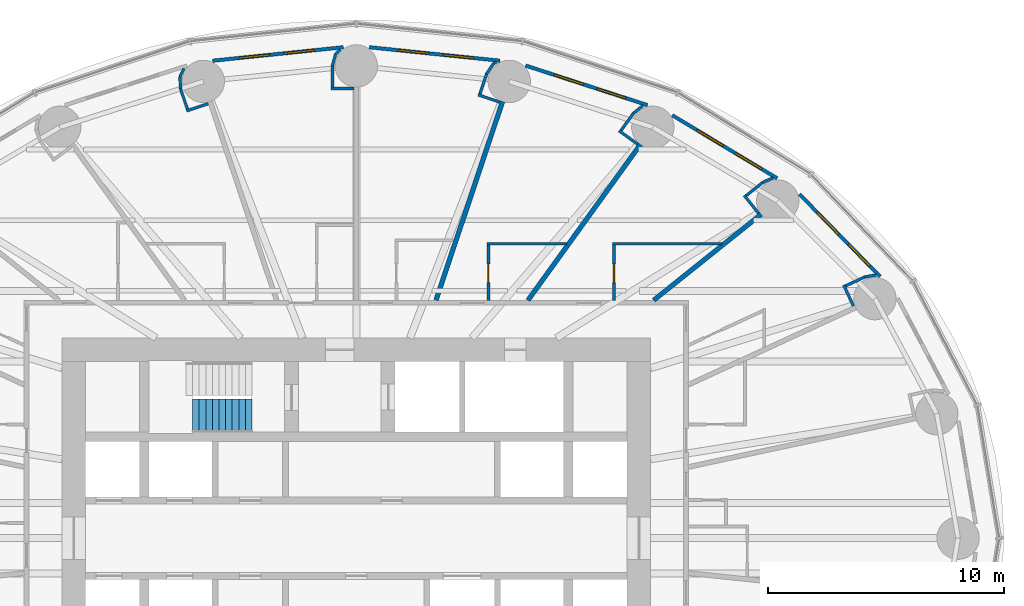
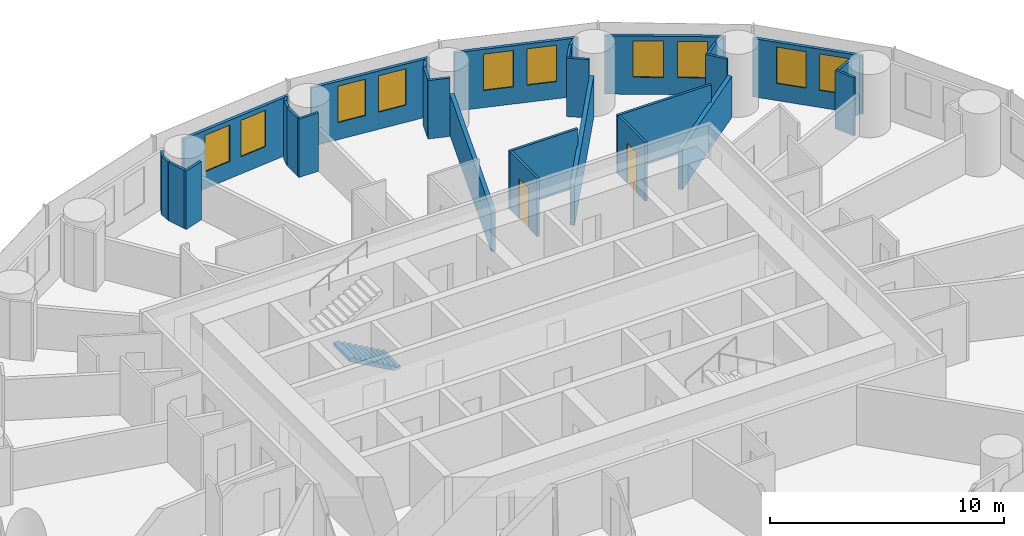
# One storey, part 11 of 13: 33 walls, 10 windows, 2 doors, 1 stair flight, 12 openings, 1 element without a shape of its own.
"""IFC4 building model written with IfcOpenShell, lengths in metres."""

from ifc_helpers import new_model, si_unit, direction, frame, frame_2d, origin, place, context, subcontext, project, spatial, polyline, rectangle, outline, extrude, material, layer, layer_set, type_object, element, fill, aggregate, save


model = new_model("IFC4")

# Units and contexts
model_context = context("Model", 3, precision=1e-05, world=origin(), true_north=direction((0.0, 1.0)))
body_context = subcontext(model_context, "Body", "Model", "MODEL_VIEW")
ifc_project = project(units=[si_unit("LENGTHUNIT", "METRE"), si_unit("AREAUNIT", "SQUARE_METRE"), si_unit("VOLUMEUNIT", "CUBIC_METRE"), si_unit("PLANEANGLEUNIT", "RADIAN"), si_unit("MASSUNIT", "GRAM", prefix="KILO")], contexts=[model_context])

# Site, building, storey
site_placement = place(None, origin())
site = spatial("IfcSite", under=ifc_project, at=site_placement, CompositionType="ELEMENT")
building_placement = place(site_placement, origin())
building = spatial("IfcBuilding", under=site, at=building_placement, Name="Hankou Lantern Tower", CompositionType="ELEMENT")
storey_placement = place(building_placement, frame((0.0, 0.0, 42.60009765625)))
storey = spatial("IfcBuildingStorey", under=building, at=storey_placement, Name="L09", CompositionType="ELEMENT", Elevation=42.60009765625)

# Wall, openings, windows
ifc_material_1 = material(Name="Aluminium spandrel panel on steel studs", Category="steel")
ifc_layer_1 = layer(ifc_material_1, 0.14990234375)
ifc_layer_set_1 = layer_set([ifc_layer_1], Name="Aluminium spandrel panel on steel studs")
wall_type_1 = type_object("IfcWallType", Name="EW1 INNER SKIN WALL 150", PredefinedType="ELEMENTEDWALL", material=ifc_layer_set_1)
wall_1_placement = place(storey_placement, frame((22.23876953125, 11.1083984375, 0.0), z_axis=(0.0, 0.0, 1.0), x_axis=(-0.699612594083, 0.714522370679, 0.0)))
wall_1 = element("IfcWall", 1, at=wall_1_placement, inside=storey, type_object=wall_type_1, Name="Inner skin R03-R04 L09", PredefinedType="ELEMENTEDWALL", context=body_context, shape_type="SweptSolid", body=[
    extrude(rectangle(XDim=4.89599609375, YDim=0.14990234375, at=frame_2d((2.447998046875, 0.0))), origin(), (0.0, 0.0, 1.0), 3.0498046875),
])
opening_1_placement = place(wall_1_placement, frame((0.619140625, 0.0, 0.89990234375)))
opening_1 = element("IfcOpeningElement", 2, at=opening_1_placement, cuts=wall_1, Name="Opening W9", PredefinedType="OPENING", context=body_context, shape_type="SweptSolid", body=[
    extrude(rectangle(XDim=1.300048828125, YDim=1.89990234375, at=frame_2d((0.64990234375, 0.949951171875))), frame((0.0, 0.0849609375, 0.0), z_axis=(0.0, -1.0, 0.0), x_axis=(1.0, 0.0, 0.0)), (0.0, 0.0, 1.0), 0.169921875),
])
opening_2_placement = place(wall_1_placement, frame((2.51904296875, 0.0, 0.89990234375)))
opening_2 = element("IfcOpeningElement", 3, at=opening_2_placement, cuts=wall_1, Name="Opening W9", PredefinedType="OPENING", context=body_context, shape_type="SweptSolid", body=[
    extrude(rectangle(XDim=1.300048828125, YDim=1.89990234375, at=frame_2d((0.64990234375, 0.949951171875))), frame((0.0, 0.0849609375, 0.0), z_axis=(0.0, -1.0, 0.0), x_axis=(1.0, 0.0, 0.0)), (0.0, 0.0, 1.0), 0.169921875),
])
ifc_material_2 = material(Name="Aluminium framed double glazed window", Category="aluminium")
window_type = type_object("IfcWindowType", Name="W9 GUEST ROOM WINDOW 1300X1900", PartitioningType="DOUBLE_PANEL_VERTICAL", PredefinedType="WINDOW", material=ifc_material_2)
window_1_placement = place(opening_1_placement, origin())
window_1 = element("IfcWindow", 4, at=window_1_placement, inside=storey, type_object=window_type, Name="Window R03.1 L09", OverallHeight=1.89990234375, OverallWidth=1.300048828125, PartitioningType="SINGLE_PANEL", PredefinedType="WINDOW", context=body_context, shape_type="SweptSolid", body=[
    extrude(rectangle(XDim=1.300048828125, YDim=1.89990234375, at=frame_2d((0.64990234375, 0.949951171875))), frame((0.0, 0.030029296875, 0.0), z_axis=(0.0, -1.0, 0.0), x_axis=(1.0, 0.0, 0.0)), (0.0, 0.0, 1.0), 0.06005859375),
])
fill(opening_1, window_1)
window_2_placement = place(opening_2_placement, origin())
window_2 = element("IfcWindow", 5, at=window_2_placement, inside=storey, type_object=window_type, Name="Window R03.2 L09", OverallHeight=1.89990234375, OverallWidth=1.300048828125, PartitioningType="SINGLE_PANEL", PredefinedType="WINDOW", context=body_context, shape_type="SweptSolid", body=[
    extrude(rectangle(XDim=1.300048828125, YDim=1.89990234375, at=frame_2d((0.64990234375, 0.949951171875))), frame((0.0, 0.030029296875, 0.0), z_axis=(0.0, -1.0, 0.0), x_axis=(1.0, 0.0, 0.0)), (0.0, 0.0, 1.0), 0.06005859375),
])
fill(opening_2, window_2)

wall_2_placement = place(storey_placement, frame((17.869384765625, 15.276611328125, 0.0), z_axis=(0.0, 0.0, 1.0), x_axis=(-0.856958191554, 0.515385931054, 0.0)))
wall_2 = element("IfcWall", 6, at=wall_2_placement, inside=storey, type_object=wall_type_1, Name="Inner skin R04-R05 L09", PredefinedType="ELEMENTEDWALL", context=body_context, shape_type="SweptSolid", body=[
    extrude(rectangle(XDim=5.201171875, YDim=0.14990234375, at=frame_2d((2.6005859375, 0.0))), origin(), (0.0, 0.0, 1.0), 3.0498046875),
])
opening_3_placement = place(wall_2_placement, frame((0.7763671875, 0.0, 0.89990234375)))
opening_3 = element("IfcOpeningElement", 7, at=opening_3_placement, cuts=wall_2, Name="Opening W9", PredefinedType="OPENING", context=body_context, shape_type="SweptSolid", body=[
    extrude(rectangle(XDim=1.300048828125, YDim=1.89990234375, at=frame_2d((0.64990234375, 0.949951171875))), frame((0.0, 0.0849609375, 0.0), z_axis=(0.0, -1.0, 0.0), x_axis=(1.0, 0.0, 0.0)), (0.0, 0.0, 1.0), 0.169921875),
])
opening_4_placement = place(wall_2_placement, frame((2.67626953125, 0.0, 0.89990234375)))
opening_4 = element("IfcOpeningElement", 8, at=opening_4_placement, cuts=wall_2, Name="Opening W9", PredefinedType="OPENING", context=body_context, shape_type="SweptSolid", body=[
    extrude(rectangle(XDim=1.300048828125, YDim=1.89990234375, at=frame_2d((0.64990234375, 0.949951171875))), frame((0.0, 0.0849609375, 0.0), z_axis=(0.0, -1.0, 0.0), x_axis=(1.0, 0.0, 0.0)), (0.0, 0.0, 1.0), 0.169921875),
])
window_3_placement = place(opening_3_placement, origin())
window_3 = element("IfcWindow", 9, at=window_3_placement, inside=storey, type_object=window_type, Name="Window R04.1 L09", OverallHeight=1.89990234375, OverallWidth=1.300048828125, PartitioningType="SINGLE_PANEL", PredefinedType="WINDOW", context=body_context, shape_type="SweptSolid", body=[
    extrude(rectangle(XDim=1.300048828125, YDim=1.89990234375, at=frame_2d((0.64990234375, 0.949951171875))), frame((0.0, 0.030029296875, 0.0), z_axis=(0.0, -1.0, 0.0), x_axis=(1.0, 0.0, 0.0)), (0.0, 0.0, 1.0), 0.06005859375),
])
fill(opening_3, window_3)
window_4_placement = place(opening_4_placement, origin())
window_4 = element("IfcWindow", 10, at=window_4_placement, inside=storey, type_object=window_type, Name="Window R04.2 L09", OverallHeight=1.89990234375, OverallWidth=1.300048828125, PartitioningType="SINGLE_PANEL", PredefinedType="WINDOW", context=body_context, shape_type="SweptSolid", body=[
    extrude(rectangle(XDim=1.300048828125, YDim=1.89990234375, at=frame_2d((0.64990234375, 0.949951171875))), frame((0.0, 0.030029296875, 0.0), z_axis=(0.0, -1.0, 0.0), x_axis=(1.0, 0.0, 0.0)), (0.0, 0.0, 1.0), 0.06005859375),
])
fill(opening_4, window_4)

wall_3_placement = place(storey_placement, frame((12.3662109375, 18.384033203125, 0.0), z_axis=(0.0, 0.0, 1.0), x_axis=(-0.951138486029, 0.308764603532, 0.0)))
wall_3 = element("IfcWall", 11, at=wall_3_placement, inside=storey, type_object=wall_type_1, Name="Inner skin R05-R06 L09", PredefinedType="ELEMENTEDWALL", context=body_context, shape_type="SweptSolid", body=[
    extrude(rectangle(XDim=5.444091796875, YDim=0.14990234375, at=frame_2d((2.72216796875, 0.0))), origin(), (0.0, 0.0, 1.0), 3.0498046875),
])
opening_5_placement = place(wall_3_placement, frame((0.959716796875, 0.0, 0.89990234375)))
opening_5 = element("IfcOpeningElement", 12, at=opening_5_placement, cuts=wall_3, Name="Opening W9", PredefinedType="OPENING", context=body_context, shape_type="SweptSolid", body=[
    extrude(rectangle(XDim=1.300048828125, YDim=1.89990234375, at=frame_2d((0.64990234375, 0.949951171875))), frame((0.0, 0.0849609375, 0.0), z_axis=(0.0, -1.0, 0.0), x_axis=(1.0, 0.0, 0.0)), (0.0, 0.0, 1.0), 0.169921875),
])
opening_6_placement = place(wall_3_placement, frame((2.85986328125, 0.0, 0.89990234375)))
opening_6 = element("IfcOpeningElement", 13, at=opening_6_placement, cuts=wall_3, Name="Opening W9", PredefinedType="OPENING", context=body_context, shape_type="SweptSolid", body=[
    extrude(rectangle(XDim=1.300048828125, YDim=1.89990234375, at=frame_2d((0.64990234375, 0.949951171875))), frame((0.0, 0.0849609375, 0.0), z_axis=(0.0, -1.0, 0.0), x_axis=(1.0, 0.0, 0.0)), (0.0, 0.0, 1.0), 0.169921875),
])
window_5_placement = place(opening_5_placement, origin())
window_5 = element("IfcWindow", 14, at=window_5_placement, inside=storey, type_object=window_type, Name="Window R05.1 L09", OverallHeight=1.89990234375, OverallWidth=1.300048828125, PartitioningType="SINGLE_PANEL", PredefinedType="WINDOW", context=body_context, shape_type="SweptSolid", body=[
    extrude(rectangle(XDim=1.300048828125, YDim=1.89990234375, at=frame_2d((0.64990234375, 0.949951171875))), frame((0.0, 0.030029296875, 0.0), z_axis=(0.0, -1.0, 0.0), x_axis=(1.0, 0.0, 0.0)), (0.0, 0.0, 1.0), 0.06005859375),
])
fill(opening_5, window_5)
window_6_placement = place(opening_6_placement, origin())
window_6 = element("IfcWindow", 15, at=window_6_placement, inside=storey, type_object=window_type, Name="Window R05.2 L09", OverallHeight=1.89990234375, OverallWidth=1.300048828125, PartitioningType="SINGLE_PANEL", PredefinedType="WINDOW", context=body_context, shape_type="SweptSolid", body=[
    extrude(rectangle(XDim=1.300048828125, YDim=1.89990234375, at=frame_2d((0.64990234375, 0.949951171875))), frame((0.0, 0.030029296875, 0.0), z_axis=(0.0, -1.0, 0.0), x_axis=(1.0, 0.0, 0.0)), (0.0, 0.0, 1.0), 0.06005859375),
])
fill(opening_6, window_6)

wall_4_placement = place(storey_placement, frame((6.09765625, 20.27099609375, 0.0), z_axis=(0.0, 0.0, 1.0), x_axis=(-0.994723735084, 0.102589915983, 0.0)))
wall_4 = element("IfcWall", 16, at=wall_4_placement, inside=storey, type_object=wall_type_1, Name="Inner skin R06-R07 L09", PredefinedType="ELEMENTEDWALL", context=body_context, shape_type="SweptSolid", body=[
    extrude(rectangle(XDim=5.575927734375, YDim=0.14990234375, at=frame_2d((2.7880859375, 0.0))), origin(), (0.0, 0.0, 1.0), 3.0498046875),
])
opening_7_placement = place(wall_4_placement, frame((1.128662109375, 0.0, 0.89990234375)))
opening_7 = element("IfcOpeningElement", 17, at=opening_7_placement, cuts=wall_4, Name="Opening W9", PredefinedType="OPENING", context=body_context, shape_type="SweptSolid", body=[
    extrude(rectangle(XDim=1.300048828125, YDim=1.89990234375, at=frame_2d((0.64990234375, 0.949951171875))), frame((0.0, 0.0849609375, 0.0), z_axis=(0.0, -1.0, 0.0), x_axis=(1.0, 0.0, 0.0)), (0.0, 0.0, 1.0), 0.169921875),
])
opening_8_placement = place(wall_4_placement, frame((3.02880859375, 0.0, 0.89990234375)))
opening_8 = element("IfcOpeningElement", 18, at=opening_8_placement, cuts=wall_4, Name="Opening W9", PredefinedType="OPENING", context=body_context, shape_type="SweptSolid", body=[
    extrude(rectangle(XDim=1.300048828125, YDim=1.89990234375, at=frame_2d((0.64990234375, 0.949951171875))), frame((0.0, 0.0849609375, 0.0), z_axis=(0.0, -1.0, 0.0), x_axis=(1.0, 0.0, 0.0)), (0.0, 0.0, 1.0), 0.169921875),
])
window_7_placement = place(opening_7_placement, origin())
window_7 = element("IfcWindow", 19, at=window_7_placement, inside=storey, type_object=window_type, Name="Window R06.1 L09", OverallHeight=1.89990234375, OverallWidth=1.300048828125, PartitioningType="SINGLE_PANEL", PredefinedType="WINDOW", context=body_context, shape_type="SweptSolid", body=[
    extrude(rectangle(XDim=1.300048828125, YDim=1.89990234375, at=frame_2d((0.64990234375, 0.949951171875))), frame((0.0, 0.030029296875, 0.0), z_axis=(0.0, -1.0, 0.0), x_axis=(1.0, 0.0, 0.0)), (0.0, 0.0, 1.0), 0.06005859375),
])
fill(opening_7, window_7)
window_8_placement = place(opening_8_placement, origin())
window_8 = element("IfcWindow", 20, at=window_8_placement, inside=storey, type_object=window_type, Name="Window R06.2 L09", OverallHeight=1.89990234375, OverallWidth=1.300048828125, PartitioningType="SINGLE_PANEL", PredefinedType="WINDOW", context=body_context, shape_type="SweptSolid", body=[
    extrude(rectangle(XDim=1.300048828125, YDim=1.89990234375, at=frame_2d((0.64990234375, 0.949951171875))), frame((0.0, 0.030029296875, 0.0), z_axis=(0.0, -1.0, 0.0), x_axis=(1.0, 0.0, 0.0)), (0.0, 0.0, 1.0), 0.06005859375),
])
fill(opening_8, window_8)

wall_5_placement = place(storey_placement, frame((-0.55126953125, 20.843017578125, 0.0), z_axis=(0.0, 0.0, 1.0), x_axis=(-0.994723735084, -0.102589915983, 0.0)))
wall_5 = element("IfcWall", 21, at=wall_5_placement, inside=storey, type_object=wall_type_1, Name="Inner skin R07-R08 L09", PredefinedType="ELEMENTEDWALL", context=body_context, shape_type="SweptSolid", body=[
    extrude(rectangle(XDim=5.575927734375, YDim=0.14990234375, at=frame_2d((2.7880859375, 0.0))), origin(), (0.0, 0.0, 1.0), 3.0498046875),
])
opening_9_placement = place(wall_5_placement, frame((1.246826171875, 0.0, 0.89990234375)))
opening_9 = element("IfcOpeningElement", 22, at=opening_9_placement, cuts=wall_5, Name="Opening W9", PredefinedType="OPENING", context=body_context, shape_type="SweptSolid", body=[
    extrude(rectangle(XDim=1.300048828125, YDim=1.89990234375, at=frame_2d((0.64990234375, 0.949951171875))), frame((0.0, 0.0849609375, 0.0), z_axis=(0.0, -1.0, 0.0), x_axis=(1.0, 0.0, 0.0)), (0.0, 0.0, 1.0), 0.169921875),
])
opening_10_placement = place(wall_5_placement, frame((3.146728515625, 0.0, 0.89990234375)))
opening_10 = element("IfcOpeningElement", 23, at=opening_10_placement, cuts=wall_5, Name="Opening W9", PredefinedType="OPENING", context=body_context, shape_type="SweptSolid", body=[
    extrude(rectangle(XDim=1.300048828125, YDim=1.89990234375, at=frame_2d((0.64990234375, 0.949951171875))), frame((0.0, 0.0849609375, 0.0), z_axis=(0.0, -1.0, 0.0), x_axis=(1.0, 0.0, 0.0)), (0.0, 0.0, 1.0), 0.169921875),
])
window_9_placement = place(opening_9_placement, origin())
window_9 = element("IfcWindow", 24, at=window_9_placement, inside=storey, type_object=window_type, Name="Window R07.1 L09", OverallHeight=1.89990234375, OverallWidth=1.300048828125, PartitioningType="SINGLE_PANEL", PredefinedType="WINDOW", context=body_context, shape_type="SweptSolid", body=[
    extrude(rectangle(XDim=1.300048828125, YDim=1.89990234375, at=frame_2d((0.64990234375, 0.949951171875))), frame((0.0, 0.030029296875, 0.0), z_axis=(0.0, -1.0, 0.0), x_axis=(1.0, 0.0, 0.0)), (0.0, 0.0, 1.0), 0.06005859375),
])
fill(opening_9, window_9)
window_10_placement = place(opening_10_placement, origin())
window_10 = element("IfcWindow", 25, at=window_10_placement, inside=storey, type_object=window_type, Name="Window R07.2 L09", OverallHeight=1.89990234375, OverallWidth=1.300048828125, PartitioningType="SINGLE_PANEL", PredefinedType="WINDOW", context=body_context, shape_type="SweptSolid", body=[
    extrude(rectangle(XDim=1.300048828125, YDim=1.89990234375, at=frame_2d((0.64990234375, 0.949951171875))), frame((0.0, 0.030029296875, 0.0), z_axis=(0.0, -1.0, 0.0), x_axis=(1.0, 0.0, 0.0)), (0.0, 0.0, 1.0), 0.06005859375),
])
fill(opening_10, window_10)

# Walls
ifc_material_3 = material(Name="Masonry lightweight concrete block", Category="masonry")
ifc_layer_2 = layer(ifc_material_3, 0.199951171875)
ifc_layer_set_2 = layer_set([ifc_layer_2], Name="Masonry lightweight concrete block")
wall_type_2 = type_object("IfcWallType", Name="IW1 GUEST ROOM PARTY WALL 200", PredefinedType="PARTITIONING", material=ifc_layer_set_2)
wall_6_placement = place(storey_placement, frame((12.625, 10.10009765625, 0.0), z_axis=(0.0, 0.0, 1.0), x_axis=(0.780872884676, 0.624689953479, 0.0)))
element("IfcWall", 26, at=wall_6_placement, inside=storey, type_object=wall_type_2, Name="Party wall R04", PredefinedType="PARTITIONING", context=body_context, shape_type="SweptSolid", body=[
    extrude(rectangle(XDim=5.8447265625, YDim=0.199951171875, at=frame_2d((2.92236328125, 0.0))), origin(), (0.0, 0.0, 1.0), 2.14990234375),
])
wall_7_placement = place(storey_placement, frame((7.2890625, 10.10009765625, 0.0), z_axis=(0.0, 0.0, 1.0), x_axis=(0.585216319319, 0.810877216108, 0.0)))
element("IfcWall", 27, at=wall_7_placement, inside=storey, type_object=wall_type_2, Name="Party wall R05", PredefinedType="PARTITIONING", context=body_context, shape_type="SweptSolid", body=[
    extrude(rectangle(XDim=8.15966796875, YDim=0.199951171875, at=frame_2d((4.079833984375, 0.0))), origin(), (0.0, 0.0, 1.0), 2.14990234375),
])
wall_8_placement = place(storey_placement, frame((3.3828125, 10.10009765625, 0.0), z_axis=(0.0, 0.0, 1.0), x_axis=(0.317593727596, 0.948226884344, 0.0)))
element("IfcWall", 28, at=wall_8_placement, inside=storey, type_object=wall_type_2, Name="Party wall R06", PredefinedType="PARTITIONING", context=body_context, shape_type="SweptSolid", body=[
    extrude(rectangle(XDim=8.898681640625, YDim=0.199951171875, at=frame_2d((4.44921875, 0.0))), origin(), (0.0, 0.0, 1.0), 2.14990234375),
])
ifc_material_4 = material(Name="Masonry lightweight concrete block", Category="masonry")
ifc_layer_3 = layer(ifc_material_4, 0.1201171875)
ifc_layer_set_3 = layer_set([ifc_layer_3], Name="Masonry lightweight concrete block")
wall_type_3 = type_object("IfcWallType", Name="IW3 BATHROOM WALL 120", PredefinedType="PARTITIONING", material=ifc_layer_set_3)
wall_9_placement = place(storey_placement, frame((15.52490234375, 12.5, 0.0), z_axis=(0.0, 0.0, 1.0), x_axis=(-1.0, 0.0, 0.0)))
element("IfcWall", 29, at=wall_9_placement, inside=storey, type_object=wall_type_3, Name="Box wall 0904 1", PredefinedType="PARTITIONING", context=body_context, shape_type="SweptSolid", body=[
    extrude(rectangle(XDim=4.639892578125, YDim=0.1201171875, at=frame_2d((2.31982421875, 0.0))), origin(), (0.0, 0.0, 1.0), 3.0498046875),
])

# Wall, opening, door
wall_10_placement = place(storey_placement, frame((10.945068359375, 10.10009765625, 0.0), z_axis=(0.0, 0.0, 1.0), x_axis=(0.0, 1.0, 0.0)))
wall_10 = element("IfcWall", 30, at=wall_10_placement, inside=storey, type_object=wall_type_3, Name="Box wall 0904 1", PredefinedType="PARTITIONING", context=body_context, shape_type="SweptSolid", body=[
    extrude(rectangle(XDim=2.33984375, YDim=0.1201171875, at=frame_2d((1.169921875, 0.0))), origin(), (0.0, 0.0, 1.0), 3.0498046875),
])
opening_11_placement = place(wall_10_placement, frame((0.75, 0.0, 0.0)))
opening_11 = element("IfcOpeningElement", 31, at=opening_11_placement, cuts=wall_10, Name="Opening D3", PredefinedType="OPENING", context=body_context, shape_type="SweptSolid", body=[
    extrude(rectangle(XDim=0.800048828125, YDim=2.10009765625, at=frame_2d((0.39990234375, 1.050048828125))), frame((0.0, 0.070068359375, 0.0), z_axis=(0.0, -1.0, 0.0), x_axis=(1.0, 0.0, 0.0)), (0.0, 0.0, 1.0), 0.14013671875),
])
ifc_material_5 = material(Name="Timber door leaf", Category="wood")
door_type = type_object("IfcDoorType", Name="D3 BATHROOM DOOR 800X2100", OperationType="SINGLE_SWING_LEFT", PredefinedType="DOOR", material=ifc_material_5)
door_1_placement = place(opening_11_placement, origin())
door_1 = element("IfcDoor", 32, at=door_1_placement, inside=storey, type_object=door_type, Name="En-suite bathroom 0904 door", OperationType="SINGLE_SWING_LEFT", OverallHeight=2.10009765625, OverallWidth=0.800048828125, PredefinedType="DOOR", context=body_context, shape_type="SweptSolid", body=[
    extrude(rectangle(XDim=0.800048828125, YDim=2.10009765625, at=frame_2d((0.39990234375, 1.050048828125))), frame((0.0, 0.02490234375, 0.0), z_axis=(0.0, -1.0, 0.0), x_axis=(1.0, 0.0, 0.0)), (0.0, 0.0, 1.0), 0.050048828125),
])
fill(opening_11, door_1)

# Wall
wall_11_placement = place(storey_placement, frame((8.921142578125, 12.5, 0.0), z_axis=(0.0, 0.0, 1.0), x_axis=(-1.0, 0.0, 0.0)))
element("IfcWall", 33, at=wall_11_placement, inside=storey, type_object=wall_type_3, Name="Box wall 0905 1", PredefinedType="PARTITIONING", context=body_context, shape_type="SweptSolid", body=[
    extrude(rectangle(XDim=3.3720703125, YDim=0.1201171875, at=frame_2d((1.68603515625, 0.0))), origin(), (0.0, 0.0, 1.0), 3.0498046875),
])

# Wall, opening, door
wall_12_placement = place(storey_placement, frame((5.609130859375, 10.10009765625, 0.0), z_axis=(0.0, 0.0, 1.0), x_axis=(0.0, 1.0, 0.0)))
wall_12 = element("IfcWall", 34, at=wall_12_placement, inside=storey, type_object=wall_type_3, Name="Box wall 0905 1", PredefinedType="PARTITIONING", context=body_context, shape_type="SweptSolid", body=[
    extrude(rectangle(XDim=2.33984375, YDim=0.1201171875, at=frame_2d((1.169921875, 0.0))), origin(), (0.0, 0.0, 1.0), 3.0498046875),
])
opening_12_placement = place(wall_12_placement, frame((0.75, 0.0, 0.0)))
opening_12 = element("IfcOpeningElement", 35, at=opening_12_placement, cuts=wall_12, Name="Opening D3", PredefinedType="OPENING", context=body_context, shape_type="SweptSolid", body=[
    extrude(rectangle(XDim=0.800048828125, YDim=2.10009765625, at=frame_2d((0.39990234375, 1.050048828125))), frame((0.0, 0.070068359375, 0.0), z_axis=(0.0, -1.0, 0.0), x_axis=(1.0, 0.0, 0.0)), (0.0, 0.0, 1.0), 0.14013671875),
])
door_2_placement = place(opening_12_placement, origin())
door_2 = element("IfcDoor", 36, at=door_2_placement, inside=storey, type_object=door_type, Name="En-suite bathroom 0905 door", OperationType="SINGLE_SWING_LEFT", OverallHeight=2.10009765625, OverallWidth=0.800048828125, PredefinedType="DOOR", context=body_context, shape_type="SweptSolid", body=[
    extrude(rectangle(XDim=0.800048828125, YDim=2.10009765625, at=frame_2d((0.39990234375, 1.050048828125))), frame((0.0, 0.02490234375, 0.0), z_axis=(0.0, -1.0, 0.0), x_axis=(1.0, 0.0, 0.0)), (0.0, 0.0, 1.0), 0.050048828125),
])
fill(opening_12, door_2)

# Walls
ifc_material_6 = material(Name="Masonry lightweight concrete block", Category="masonry")
ifc_layer_4 = layer(ifc_material_6, 0.1201171875)
ifc_layer_set_4 = layer_set([ifc_layer_4], Name="Masonry lightweight concrete block")
wall_type_4 = type_object("IfcWallType", Name="IW4 PARTITION 120", PredefinedType="PARTITIONING", material=ifc_layer_set_4)
wall_13_placement = place(storey_placement, frame((21.105712890625, 9.8583984375, 0.0), z_axis=(0.0, 0.0, 1.0), x_axis=(-0.419344098106, 0.907827366509, 0.0)))
element("IfcWall", 37, at=wall_13_placement, inside=storey, type_object=wall_type_4, Name="Column casing R03 return", PredefinedType="PARTITIONING", context=body_context, shape_type="SweptSolid", body=[
    extrude(rectangle(XDim=0.974609375, YDim=0.1201171875, at=frame_2d((0.4873046875, 0.0))), origin(), (0.0, 0.0, 1.0), 3.0498046875),
])
wall_14_placement = place(storey_placement, frame((20.776611328125, 10.7138671875, 0.0), z_axis=(0.0, 0.0, 1.0), x_axis=(0.907832324198, 0.419333365166, 0.0)))
element("IfcWall", 38, at=wall_14_placement, inside=storey, type_object=wall_type_4, Name="Column casing R03", PredefinedType="PARTITIONING", context=body_context, shape_type="SweptSolid", body=[
    extrude(rectangle(XDim=0.900146484375, YDim=0.1201171875, at=frame_2d((0.4501953125, 0.0))), origin(), (0.0, 0.0, 1.0), 3.0498046875),
])
wall_15_placement = place(storey_placement, frame((21.59375, 11.09130859375, 0.0), z_axis=(0.0, 0.0, 1.0), x_axis=(0.985483306792, 0.169772353566, 0.0)))
element("IfcWall", 39, at=wall_15_placement, inside=storey, type_object=wall_type_4, Name="Column casing R03", PredefinedType="PARTITIONING", context=body_context, shape_type="SweptSolid", body=[
    extrude(rectangle(XDim=0.486083984375, YDim=0.1201171875, at=frame_2d((0.2431640625, 0.0))), origin(), (0.0, 0.0, 1.0), 3.0498046875),
])
wall_16_placement = place(storey_placement, frame((17.07958984375, 13.791748046875, 0.0), z_axis=(0.0, 0.0, 1.0), x_axis=(-0.624756144097, 0.780819928289, 0.0)))
element("IfcWall", 40, at=wall_16_placement, inside=storey, type_object=wall_type_4, Name="Column casing R04 return", PredefinedType="PARTITIONING", context=body_context, shape_type="SweptSolid", body=[
    extrude(rectangle(XDim=0.974609375, YDim=0.1201171875, at=frame_2d((0.4873046875, 0.0))), origin(), (0.0, 0.0, 1.0), 3.0498046875),
])
wall_17_placement = place(storey_placement, frame((16.55517578125, 14.54345703125, 0.0), z_axis=(0.0, 0.0, 1.0), x_axis=(0.780789399477, 0.62479429708, 0.0)))
element("IfcWall", 41, at=wall_17_placement, inside=storey, type_object=wall_type_4, Name="Column casing R04", PredefinedType="PARTITIONING", context=body_context, shape_type="SweptSolid", body=[
    extrude(rectangle(XDim=0.89990234375, YDim=0.1201171875, at=frame_2d((0.449951171875, 0.0))), origin(), (0.0, 0.0, 1.0), 3.0498046875),
])
wall_18_placement = place(storey_placement, frame((17.2578125, 15.105712890625, 0.0), z_axis=(0.0, 0.0, 1.0), x_axis=(0.916098562583, 0.400953143937, 0.0)))
element("IfcWall", 42, at=wall_18_placement, inside=storey, type_object=wall_type_4, Name="Column casing R04", PredefinedType="PARTITIONING", context=body_context, shape_type="SweptSolid", body=[
    extrude(rectangle(XDim=0.476806640625, YDim=0.1201171875, at=frame_2d((0.23828125, 0.0))), origin(), (0.0, 0.0, 1.0), 3.0498046875),
])
wall_19_placement = place(storey_placement, frame((11.947998046875, 16.7265625, 0.0), z_axis=(0.0, 0.0, 1.0), x_axis=(-0.810897160646, 0.585188683123, 0.0)))
element("IfcWall", 43, at=wall_19_placement, inside=storey, type_object=wall_type_4, Name="Column casing R05 return", PredefinedType="PARTITIONING", context=body_context, shape_type="SweptSolid", body=[
    extrude(rectangle(XDim=0.974609375, YDim=0.1201171875, at=frame_2d((0.4873046875, 0.0))), origin(), (0.0, 0.0, 1.0), 3.0498046875),
])
wall_20_placement = place(storey_placement, frame((11.241455078125, 17.310302734375, 0.0), z_axis=(0.0, 0.0, 1.0), x_axis=(0.585054732094, 0.810993810367, 0.0)))
element("IfcWall", 44, at=wall_20_placement, inside=storey, type_object=wall_type_4, Name="Column casing R05", PredefinedType="PARTITIONING", context=body_context, shape_type="SweptSolid", body=[
    extrude(rectangle(XDim=0.900146484375, YDim=0.1201171875, at=frame_2d((0.4501953125, 0.0))), origin(), (0.0, 0.0, 1.0), 3.0498046875),
])
wall_21_placement = place(storey_placement, frame((11.76806640625, 18.040283203125, 0.0), z_axis=(0.0, 0.0, 1.0), x_axis=(0.775268927517, 0.631631292787, 0.0)))
element("IfcWall", 45, at=wall_21_placement, inside=storey, type_object=wall_type_4, Name="Column casing R05", PredefinedType="PARTITIONING", context=body_context, shape_type="SweptSolid", body=[
    extrude(rectangle(XDim=0.521728515625, YDim=0.1201171875, at=frame_2d((0.2607421875, 0.0))), origin(), (0.0, 0.0, 1.0), 3.0498046875),
])
wall_22_placement = place(storey_placement, frame((6.09521484375, 18.512939453125, 0.0), z_axis=(0.0, 0.0, 1.0), x_axis=(-0.948281677008, 0.317430088446, 0.0)))
element("IfcWall", 46, at=wall_22_placement, inside=storey, type_object=wall_type_4, Name="Column casing R06 return", PredefinedType="PARTITIONING", context=body_context, shape_type="SweptSolid", body=[
    extrude(rectangle(XDim=0.974365234375, YDim=0.1201171875, at=frame_2d((0.4873046875, 0.0))), origin(), (0.0, 0.0, 1.0), 3.0498046875),
])
wall_23_placement = place(storey_placement, frame((5.2470703125, 18.860107421875, 0.0), z_axis=(0.0, 0.0, 1.0), x_axis=(0.317610704489, 0.94822119803, 0.0)))
element("IfcWall", 47, at=wall_23_placement, inside=storey, type_object=wall_type_4, Name="Column casing R06", PredefinedType="PARTITIONING", context=body_context, shape_type="SweptSolid", body=[
    extrude(rectangle(XDim=0.900146484375, YDim=0.1201171875, at=frame_2d((0.4501953125, 0.0))), origin(), (0.0, 0.0, 1.0), 3.0498046875),
])
wall_24_placement = place(storey_placement, frame((5.532958984375, 19.713623046875, 0.0), z_axis=(0.0, 0.0, 1.0), x_axis=(0.552014331743, 0.833834622422, 0.0)))
element("IfcWall", 48, at=wall_24_placement, inside=storey, type_object=wall_type_4, Name="Column casing R06", PredefinedType="PARTITIONING", context=body_context, shape_type="SweptSolid", body=[
    extrude(rectangle(XDim=0.52490234375, YDim=0.1201171875, at=frame_2d((0.262451171875, 0.0))), origin(), (0.0, 0.0, 1.0), 3.0498046875),
])
wall_25_placement = place(storey_placement, frame((5.82275390625, 20.1513671875, 0.0), z_axis=(0.0, 0.0, 1.0), x_axis=(0.894784104941, 0.446499054362, 0.0)))
element("IfcWall", 49, at=wall_25_placement, inside=storey, type_object=wall_type_4, Name="Column casing R06", PredefinedType="PARTITIONING", context=body_context, shape_type="SweptSolid", body=[
    extrude(rectangle(XDim=0.13671875, YDim=0.1201171875, at=frame_2d((0.068359375, 0.0))), origin(), (0.0, 0.0, 1.0), 3.0498046875),
])
wall_26_placement = place(storey_placement, frame((-0.10009765625, 19.090087890625, 0.0), z_axis=(0.0, 0.0, 1.0), x_axis=(-1.0, 0.0, 0.0)))
element("IfcWall", 50, at=wall_26_placement, inside=storey, type_object=wall_type_4, Name="Column casing R07 return", PredefinedType="PARTITIONING", context=body_context, shape_type="SweptSolid", body=[
    extrude(rectangle(XDim=0.974365234375, YDim=0.1201171875, at=frame_2d((0.4873046875, 0.0))), origin(), (0.0, 0.0, 1.0), 3.0498046875),
])
wall_27_placement = place(storey_placement, frame((-1.0146484375, 19.14990234375, 0.0), z_axis=(0.0, 0.0, 1.0), x_axis=(0.0, 1.0, 0.0)))
element("IfcWall", 51, at=wall_27_placement, inside=storey, type_object=wall_type_4, Name="Column casing R07", PredefinedType="PARTITIONING", context=body_context, shape_type="SweptSolid", body=[
    extrude(rectangle(XDim=0.900146484375, YDim=0.1201171875, at=frame_2d((0.4501953125, 0.0))), origin(), (0.0, 0.0, 1.0), 3.0498046875),
])
wall_28_placement = place(storey_placement, frame((-1.0146484375, 20.050048828125, 0.0), z_axis=(0.0, 0.0, 1.0), x_axis=(0.258906465625, 0.96590239779, 0.0)))
element("IfcWall", 52, at=wall_28_placement, inside=storey, type_object=wall_type_4, Name="Column casing R07", PredefinedType="PARTITIONING", context=body_context, shape_type="SweptSolid", body=[
    extrude(rectangle(XDim=0.525146484375, YDim=0.1201171875, at=frame_2d((0.2626953125, 0.0))), origin(), (0.0, 0.0, 1.0), 3.0498046875),
])
wall_29_placement = place(storey_placement, frame((-0.878662109375, 20.557373046875, 0.0), z_axis=(0.0, 0.0, 1.0), x_axis=(0.707106781187, 0.707106781187, 0.0)))
element("IfcWall", 53, at=wall_29_placement, inside=storey, type_object=wall_type_4, Name="Column casing R07", PredefinedType="PARTITIONING", context=body_context, shape_type="SweptSolid", body=[
    extrude(rectangle(XDim=0.279052734375, YDim=0.1201171875, at=frame_2d((0.1396484375, 0.0))), origin(), (0.0, 0.0, 1.0), 3.0498046875),
])
wall_30_placement = place(storey_placement, frame((-6.284912109375, 18.44921875, 0.0), z_axis=(0.0, 0.0, 1.0), x_axis=(-0.948281677008, -0.317430088446, 0.0)))
element("IfcWall", 54, at=wall_30_placement, inside=storey, type_object=wall_type_4, Name="Column casing R08 return", PredefinedType="PARTITIONING", context=body_context, shape_type="SweptSolid", body=[
    extrude(rectangle(XDim=0.974365234375, YDim=0.1201171875, at=frame_2d((0.4873046875, 0.0))), origin(), (0.0, 0.0, 1.0), 3.0498046875),
])
wall_31_placement = place(storey_placement, frame((-7.171142578125, 18.2158203125, 0.0), z_axis=(0.0, 0.0, 1.0), x_axis=(-0.317692409458, 0.94819382669, 0.0)))
element("IfcWall", 55, at=wall_31_placement, inside=storey, type_object=wall_type_4, Name="Column casing R08", PredefinedType="PARTITIONING", context=body_context, shape_type="SweptSolid", body=[
    extrude(rectangle(XDim=0.89990234375, YDim=0.1201171875, at=frame_2d((0.449951171875, 0.0))), origin(), (0.0, 0.0, 1.0), 3.0498046875),
])
wall_32_placement = place(storey_placement, frame((-7.45703125, 19.069091796875, 0.0), z_axis=(0.0, 0.0, 1.0), x_axis=(-0.061365267648, 0.99811537606, 0.0)))
element("IfcWall", 56, at=wall_32_placement, inside=storey, type_object=wall_type_4, Name="Column casing R08", PredefinedType="PARTITIONING", context=body_context, shape_type="SweptSolid", body=[
    extrude(rectangle(XDim=0.525146484375, YDim=0.1201171875, at=frame_2d((0.2626953125, 0.0))), origin(), (0.0, 0.0, 1.0), 3.0498046875),
])
wall_33_placement = place(storey_placement, frame((-7.4892578125, 19.59326171875, 0.0), z_axis=(0.0, 0.0, 1.0), x_axis=(0.446218959337, 0.89492381817, 0.0)))
element("IfcWall", 57, at=wall_33_placement, inside=storey, type_object=wall_type_4, Name="Column casing R08", PredefinedType="PARTITIONING", context=body_context, shape_type="SweptSolid", body=[
    extrude(rectangle(XDim=0.392822265625, YDim=0.1201171875, at=frame_2d((0.1962890625, 0.0))), origin(), (0.0, 0.0, 1.0), 3.0498046875),
])

# Stair, stair flight
ifc_material_7 = material(Name="Concrete C40", Category="concrete")
stair_type = type_object("IfcStairType", Name="ST33 CORE STAIR 3300 RISE", PredefinedType="HALF_TURN_STAIR", material=ifc_material_7)
stair_placement = place(storey_placement, origin())
stair = element("IfcStair", 58, at=stair_placement, inside=storey, type_object=stair_type, Name="Stair STA L09", PredefinedType="HALF_TURN_STAIR")
ifc_material_8 = material(Name="Concrete C40", Category="concrete")
stair_flight_type = type_object("IfcStairFlightType", Name="CF10 CORE STAIR FLIGHT 1400 X 10 RISERS", PredefinedType="STRAIGHT", material=ifc_material_8)
stair_flight_placement = place(storey_placement, frame((-4.429931640625, 5.199951171875, 0.0), z_axis=(0.0, 0.0, 1.0), x_axis=(-1.0, 0.0, 0.0)))
stair_flight = element("IfcStairFlight", 59, at=stair_flight_placement, type_object=stair_flight_type, Name="STA flight 1", NumberOfRisers=10, NumberOfTreads=9, PredefinedType="STRAIGHT", RiserHeight=0.157142857, TreadLength=0.28, context=body_context, shape_type="SweptSolid", body=[
    extrude(outline(polyline([(0.0, 0.0), (0.0, 0.1572265625), (0.280029296875, 0.1572265625), (0.280029296875, 0.314208984375), (0.56005859375, 0.314208984375), (0.56005859375, 0.471435546875), (0.840087890625, 0.471435546875), (0.840087890625, 0.628662109375), (1.1201171875, 0.628662109375), (1.1201171875, 0.78564453125), (1.39990234375, 0.78564453125), (1.39990234375, 0.94287109375), (1.679931640625, 0.94287109375), (1.679931640625, 1.10009765625), (1.9599609375, 1.10009765625), (1.9599609375, 1.257080078125), (2.239990234375, 1.257080078125), (2.239990234375, 1.414306640625), (2.52001953125, 1.414306640625), (2.52001953125, 1.571533203125), (2.52001953125, 1.242431640625), (0.306396484375, 0.0), (0.0, 0.0)])), frame((0.0, 0.699951171875, 0.0), z_axis=(0.0, -1.0, 0.0), x_axis=(1.0, 0.0, 0.0)), (0.0, 0.0, 1.0), 1.39990234375),
])
aggregate(stair, [stair_flight])

save(model, "model.ifc")
